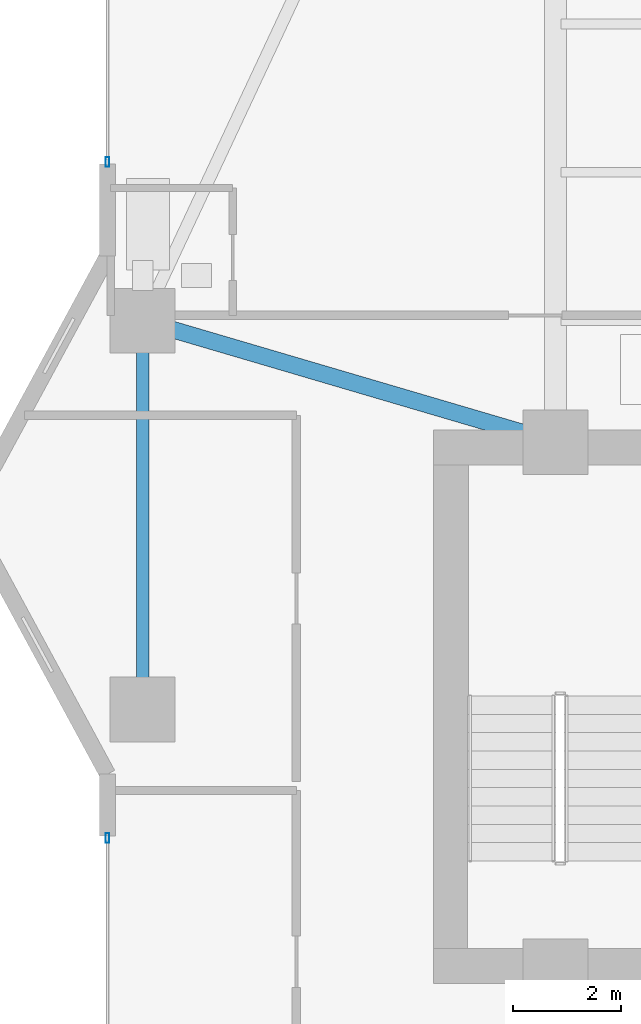
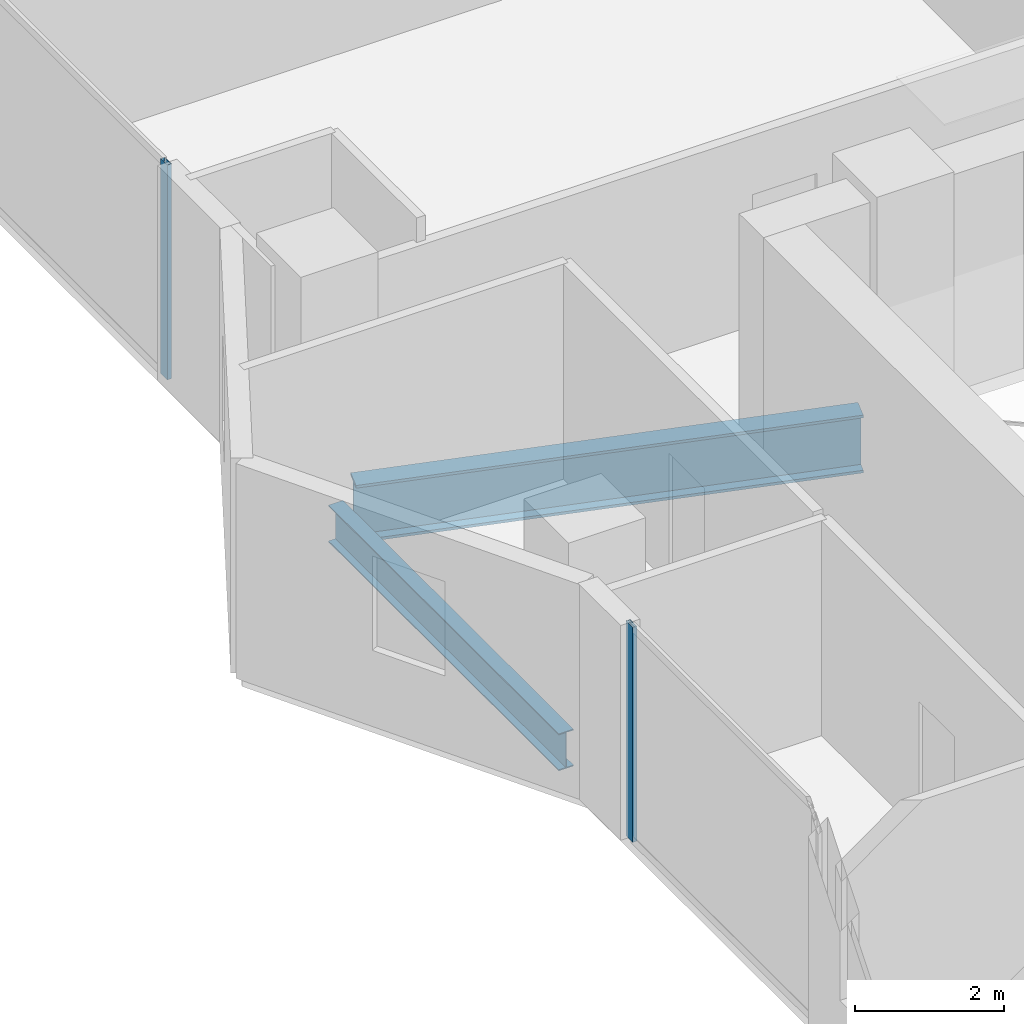
# One storey, part 9 of 33: 2 beams, 2 members, 2 elements without a shape of their own.
"""IFC4 building model written with IfcOpenShell, lengths in metres."""

import ifcopenshell
import ifcopenshell.guid

model = None  # the IFC model being written
_history = None  # IfcOwnerHistory: only IFC2X3 demands one
_inside = {}  # id of a spatial element -> (the spatial element, [elements in it])
_under = {}  # id of a project, library or spatial element -> (it, [spatial elements below it])
_declared = {}  # id of a project -> (the project, [libraries it declares])
_typed = {}  # id of a type object -> (the type object, [elements of that type])
_made_of = {}  # id of a material, layer set ... -> (it, [elements and type objects made of it])


def new_model(schema):
    """Start an empty IFC model of exactly this schema.

    Asked for "IFC4X3", IfcOpenShell would pick the latest addendum, in which some entities
    have other attributes; the version numbers below select the first issue.
    IFC2X3 requires an IfcOwnerHistory on every rooted entity: one is made here for all.
    """
    global model, _history
    if schema == "IFC4X3":
        model = ifcopenshell.file(schema_version=(4, 3, 0, 0))
    else:
        model = ifcopenshell.file(schema=schema)
    _inside.clear()
    _under.clear()
    _declared.clear()
    _typed.clear()
    _made_of.clear()
    _history = None
    if model.schema == "IFC2X3":
        org = make("IfcOrganization", Name="unknown")
        user = make(
            "IfcPersonAndOrganization",
            ThePerson=make("IfcPerson", FamilyName="unknown"),
            TheOrganization=org,
        )
        app = make(
            "IfcApplication",
            ApplicationDeveloper=org,
            Version="unknown",
            ApplicationFullName="unknown",
            ApplicationIdentifier="unknown",
        )
        _history = make(
            "IfcOwnerHistory",
            OwningUser=user,
            OwningApplication=app,
            ChangeAction="ADDED",
            CreationDate=0,
        )
    return model


def make(cls, **values):
    """One entity of the class cls with the attributes given. An attribute that is None is left unset."""
    return model.create_entity(
        cls, **{name: value for name, value in values.items() if value is not None}
    )


def rooted(cls, **values):
    """An entity with a GlobalId (a new one), such as an element, a storey or a relation."""
    return make(cls, GlobalId=ifcopenshell.guid.new(), OwnerHistory=_history, **values)


def si_unit(unit_type, name, prefix=None):
    """IfcSIUnit, for example si_unit("LENGTHUNIT", "METRE", prefix="MILLI")."""
    return make("IfcSIUnit", UnitType=unit_type, Prefix=prefix, Name=name)


def assignment(units):
    """IfcUnitAssignment: the units of a project."""
    return None if units is None else make("IfcUnitAssignment", Units=units)


def point(xyz):
    """IfcCartesianPoint."""
    return None if xyz is None else make("IfcCartesianPoint", Coordinates=xyz)


def direction(xyz):
    """IfcDirection."""
    return None if xyz is None else make("IfcDirection", DirectionRatios=xyz)


def frame(location, z_axis=None, x_axis=None):
    """IfcAxis2Placement3D, a coordinate frame: its origin and axes. An axis left out is left unset."""
    return make(
        "IfcAxis2Placement3D",
        Location=point(location),
        Axis=direction(z_axis),
        RefDirection=direction(x_axis),
    )


def frame_2d(location, x_axis=None):
    """IfcAxis2Placement2D, a coordinate frame in the plane: its origin and x axis."""
    return make(
        "IfcAxis2Placement2D", Location=point(location), RefDirection=direction(x_axis)
    )


def origin():
    """The frame at (0, 0, 0) with its axes left unset."""
    return frame((0.0, 0.0, 0.0))


def origin_2d():
    """The frame at (0, 0) in the plane with its x axis left unset."""
    return frame_2d((0.0, 0.0))


def place(relative_to, where):
    """IfcLocalPlacement: puts the frame where relative to a parent placement (None: the world)."""
    return make(
        "IfcLocalPlacement", PlacementRelTo=relative_to, RelativePlacement=where
    )


def context(
    kind, dimensions, precision=None, world=None, true_north=None, identifier=None
):
    """IfcGeometricRepresentationContext, for example the 3D "Model" context."""
    return make(
        "IfcGeometricRepresentationContext",
        ContextIdentifier=identifier,
        ContextType=kind,
        CoordinateSpaceDimension=dimensions,
        Precision=precision,
        WorldCoordinateSystem=world,
        TrueNorth=true_north,
    )


def subcontext(parent, identifier, kind, view, scale=None):
    """IfcGeometricRepresentationSubContext, for example "Body" below "Model"."""
    return make(
        "IfcGeometricRepresentationSubContext",
        ContextIdentifier=identifier,
        ContextType=kind,
        ParentContext=parent,
        TargetScale=scale,
        TargetView=view,
    )


def project(units=None, contexts=None):
    """IfcProject with its units and contexts."""
    return rooted(
        "IfcProject",
        Name="project",
        RepresentationContexts=contexts,
        UnitsInContext=assignment(units),
    )


def spatial(cls, under=None, at=None, **own):
    """A site, building, storey or space (cls), placed at a placement, below another one or the project."""
    s = rooted(cls, ObjectPlacement=at, **own)
    if under is not None:
        _under.setdefault(under.id(), (under, []))[1].append(s)
    return s


def profile(cls, at=None, kind="AREA", **sizes):
    """A parametric profile (cls). Its sizes go by their IFC names, for example OverallWidth=200.0."""
    return make(cls, ProfileType=kind, Position=at, **sizes)


def hollow_rectangle(**sizes):
    """IfcRectangleHollowProfileDef."""
    return profile("IfcRectangleHollowProfileDef", **sizes)


def i_section(**sizes):
    """IfcIShapeProfileDef."""
    return profile("IfcIShapeProfileDef", **sizes)


def extrude(swept, where, along, depth):
    """IfcExtrudedAreaSolid: the profile swept, set in the frame where, extruded along a direction by depth."""
    return make(
        "IfcExtrudedAreaSolid",
        SweptArea=swept,
        Position=where,
        ExtrudedDirection=direction(along),
        Depth=depth,
    )


def shape(context_of_items, identifier, shape_type, items):
    """IfcShapeRepresentation: the items that make up one representation, for example the "Body"."""
    return make(
        "IfcShapeRepresentation",
        ContextOfItems=context_of_items,
        RepresentationIdentifier=identifier,
        RepresentationType=shape_type,
        Items=items,
    )


def material(Name=None, Category=None):
    """IfcMaterial."""
    return make("IfcMaterial", Name=Name, Category=Category)


def layer(
    of_material, thickness, ventilated=None, Name=None, Category=None, Priority=None
):
    """IfcMaterialLayer: one layer of a wall or slab, of a material (None: an air gap)."""
    return make(
        "IfcMaterialLayer",
        Material=of_material,
        LayerThickness=thickness,
        IsVentilated=ventilated,
        Name=Name,
        Category=Category,
        Priority=Priority,
    )


def layer_set(layers, Name=None):
    """IfcMaterialLayerSet."""
    return make("IfcMaterialLayerSet", MaterialLayers=layers, LayerSetName=Name)


def material_profile(
    of_material, cross_section, Name=None, Category=None, Priority=None
):
    """IfcMaterialProfile: a cross section and its material."""
    return make(
        "IfcMaterialProfile",
        Name=Name,
        Material=of_material,
        Profile=cross_section,
        Priority=Priority,
        Category=Category,
    )


def profile_set(profiles, Name=None, composite=None):
    """IfcMaterialProfileSet."""
    return make(
        "IfcMaterialProfileSet",
        Name=Name,
        MaterialProfiles=profiles,
        CompositeProfile=composite,
    )


def made_of(thing, what):
    """Note that an element or type object is made of a material, layer set ...; save() writes the relation."""
    if what is not None:
        _made_of.setdefault(what.id(), (what, []))[1].append(thing)
    return thing


def type_object(cls, material=None, **own):
    """A type object (cls), such as IfcWallType, which elements share."""
    return made_of(rooted(cls, **own), material)


def element(
    cls,
    number,
    at=None,
    inside=None,
    cuts=None,
    type_object=None,
    material=None,
    context=None,
    identifier="Body",
    shape_type=None,
    held_by="IfcProductDefinitionShape",
    body=None,
    shapes=None,
    **own,
):
    """One element of the class cls, such as IfcWall. Its Tag is "e" and its number.

    at: its placement. inside: the storey or other place that contains it. cuts: it is an
    opening in that element (IfcRelVoidsElement). A single representation is given by context,
    identifier, shape_type and body (its items); several are given by shapes. held_by: the class
    of the entity that holds the representations. save() writes the other relations.
    """
    e = rooted(cls, Tag="e%d" % number, ObjectPlacement=at, **own)
    if body is not None:
        shapes = [shape(context, identifier, shape_type, body)]
    if shapes is not None:
        e.Representation = make(held_by, Representations=shapes)
    if inside is not None:
        _inside.setdefault(inside.id(), (inside, []))[1].append(e)
    if cuts is not None:
        rooted(
            "IfcRelVoidsElement", RelatingBuildingElement=cuts, RelatedOpeningElement=e
        )
    if type_object is not None:
        _typed.setdefault(type_object.id(), (type_object, []))[1].append(e)
    return made_of(e, material)


def aggregate(whole, parts):
    """IfcRelAggregates: a whole, such as a stair, and the parts it consists of."""
    return rooted("IfcRelAggregates", RelatingObject=whole, RelatedObjects=parts)


def save(model, path):
    """Write the relations noted so far, then the file.

    IfcRelAggregates (storeys below a building ...), IfcRelContainedInSpatialStructure (elements
    in a storey), IfcRelDefinesByType, IfcRelAssociatesMaterial and IfcRelDeclares: one each for
    every whole, place, type object, material and project.
    """
    for whole, parts in _under.values():
        aggregate(whole, parts)
    for where, things in _inside.values():
        rooted(
            "IfcRelContainedInSpatialStructure",
            RelatedElements=things,
            RelatingStructure=where,
        )
    for kind, things in _typed.values():
        rooted("IfcRelDefinesByType", RelatedObjects=things, RelatingType=kind)
    for what, things in _made_of.values():
        rooted("IfcRelAssociatesMaterial", RelatedObjects=things, RelatingMaterial=what)
    for by, libraries in _declared.values():
        rooted("IfcRelDeclares", RelatingContext=by, RelatedDefinitions=libraries)
    model.write(path)


model = new_model("IFC4")

# Units and contexts
model_context = context("Model", 3, precision=1e-05, world=origin(), true_north=direction((0.0, 1.0)))
body_context = subcontext(model_context, "Body", "Model", "MODEL_VIEW")
ifc_project = project(units=[si_unit("LENGTHUNIT", "METRE"), si_unit("AREAUNIT", "SQUARE_METRE"), si_unit("VOLUMEUNIT", "CUBIC_METRE"), si_unit("PLANEANGLEUNIT", "RADIAN"), si_unit("MASSUNIT", "GRAM", prefix="KILO")], contexts=[model_context])

# Site, building, storey
site_placement = place(None, origin())
site = spatial("IfcSite", under=ifc_project, at=site_placement, CompositionType="ELEMENT")
building_placement = place(site_placement, origin())
building = spatial("IfcBuilding", under=site, at=building_placement, Name="Zuhayl Quay Hotel", CompositionType="ELEMENT")
storey_placement = place(building_placement, frame((0.0, 0.0, 207.39990234375)))
storey = spatial("IfcBuildingStorey", under=building, at=storey_placement, Name="L52", CompositionType="ELEMENT", Elevation=207.39990234375)

# Beams
ifc_material_1 = material(Name="Steel ASTM A992 Grade 50", Category="steel")
ifc_material_profile_1 = material_profile(ifc_material_1, i_section(OverallWidth=0.22802734375, OverallDepth=0.60693359375, WebThickness=0.01123046875, FlangeThickness=0.017333984375, at=origin_2d()), Name="W24X76")
ifc_profile_set_1 = profile_set([ifc_material_profile_1], Name="Steel ASTM A992 Grade 50")
beam_type_1 = type_object("IfcBeamType", Name="BM_B3_W24X76", PredefinedType="BEAM", material=ifc_profile_set_1)
beam_1_placement = place(storey_placement, frame((-21.449951171875, 16.10009765625, -0.5234375), z_axis=(0.0, -1.0, 0.0), x_axis=(1.0, 0.0, 0.0)))
element("IfcBeam", 1, at=beam_1_placement, inside=storey, type_object=beam_type_1, Name="L52 Floor Beam RG_L52_11", PredefinedType="BEAM", context=body_context, shape_type="SweptSolid", body=[
    extrude(i_section(OverallWidth=0.22802734375, OverallDepth=0.60693359375, WebThickness=0.01123046875, FlangeThickness=0.017333984375, at=origin_2d()), origin(), (0.0, 0.0, 1.0), 6.2001953125),
])
ifc_material_profile_2 = material_profile(ifc_material_1, i_section(OverallWidth=0.31005859375, OverallDepth=0.949951171875, WebThickness=0.0244140625, FlangeThickness=0.0439453125, at=origin_2d()), Name="W36X256")
ifc_profile_set_2 = profile_set([ifc_material_profile_2], Name="Steel ASTM A992 Grade 50")
beam_type_2 = type_object("IfcBeamType", Name="BM_PG1_W36X256", PredefinedType="BEAM", material=ifc_profile_set_2)
beam_2_placement = place(storey_placement, frame((-20.97021484375, 16.458984375, -0.69482421875), z_axis=(0.959364948093, -0.282168205812, 0.0), x_axis=(0.282168205812, 0.959364948093, 0.0)))
element("IfcBeam", 2, at=beam_2_placement, inside=storey, type_object=beam_type_2, Name="L52 Floor Beam FG_W_L52_2", PredefinedType="BEAM", context=body_context, shape_type="SweptSolid", body=[
    extrude(i_section(OverallWidth=0.31005859375, OverallDepth=0.949951171875, WebThickness=0.0244140625, FlangeThickness=0.0439453125, at=origin_2d()), origin(), (0.0, 0.0, 1.0), 7.02392578125),
])

# Curtain wall, member
ifc_material_2 = material(Name="Anodised Aluminium 6063-T6", Category="aluminium")
ifc_layer = layer(ifc_material_2, 0.175048828125, Name="Anodised Aluminium 6063-T6", Category="aluminium")
ifc_layer_set = layer_set([ifc_layer], Name="Anodised Aluminium 6063-T6")
curtain_wall_type = type_object("IfcCurtainWallType", Name="CW_SYS_Z3", PredefinedType="USERDEFINED", material=ifc_layer_set)
curtain_wall_1_placement = place(storey_placement, origin())
curtain_wall_1 = element("IfcCurtainWall", 3, at=curtain_wall_1_placement, inside=storey, type_object=curtain_wall_type, Name="L52 Curtain Wall ENV_L52_E02_CW1", ObjectType="UNITISED CURTAIN WALL", PredefinedType="USERDEFINED")
ifc_material_3 = material(Name="Black-anodised aluminium 6063-T6", Category="aluminium")
ifc_material_profile_3 = material_profile(ifc_material_3, hollow_rectangle(XDim=0.06494140625, YDim=0.179931640625, WallThickness=0.00341796875, at=origin_2d()), Name="ALU180X65")
ifc_profile_set_3 = profile_set([ifc_material_profile_3], Name="Black-anodised aluminium 6063-T6")
member_type = type_object("IfcMemberType", Name="MB_CW_MUL_180", PredefinedType="MULLION", material=ifc_profile_set_3)
member_1_placement = place(storey_placement, frame((-22.10009765625, 7.017578125, 0.0), z_axis=(0.0, 0.0, 1.0), x_axis=(-1.0, 0.0, 0.0)))
member_1 = element("IfcMember", 4, at=member_1_placement, type_object=member_type, Name="CW-Z3 mullion 2", PredefinedType="MULLION", context=body_context, shape_type="SweptSolid", body=[
    extrude(hollow_rectangle(XDim=0.06494140625, YDim=0.179931640625, WallThickness=0.00341796875, at=origin_2d()), origin(), (0.0, 0.0, 1.0), 3.530029296875),
])
aggregate(curtain_wall_1, [member_1])

curtain_wall_2_placement = place(storey_placement, origin())
curtain_wall_2 = element("IfcCurtainWall", 5, at=curtain_wall_2_placement, inside=storey, type_object=curtain_wall_type, Name="L52 Curtain Wall ENV_L52_E05_CW1", ObjectType="UNITISED CURTAIN WALL", PredefinedType="USERDEFINED")
member_2_placement = place(storey_placement, frame((-22.10009765625, 19.54248046875, 0.0), z_axis=(0.0, 0.0, 1.0), x_axis=(-1.0, 0.0, 0.0)))
member_2 = element("IfcMember", 6, at=member_2_placement, type_object=member_type, Name="CW-Z3 mullion 1", PredefinedType="MULLION", context=body_context, shape_type="SweptSolid", body=[
    extrude(hollow_rectangle(XDim=0.06494140625, YDim=0.179931640625, WallThickness=0.00341796875, at=origin_2d()), origin(), (0.0, 0.0, 1.0), 3.530029296875),
])
aggregate(curtain_wall_2, [member_2])

save(model, "model.ifc")
